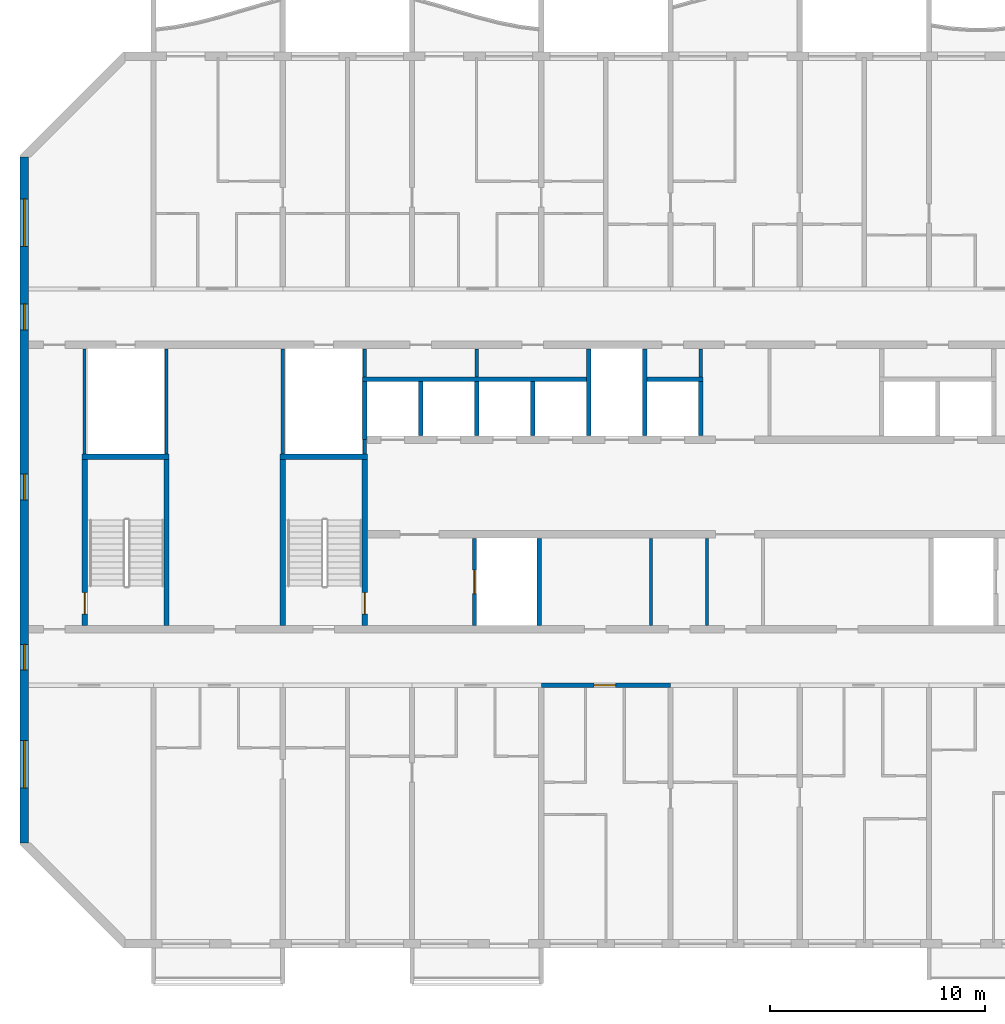
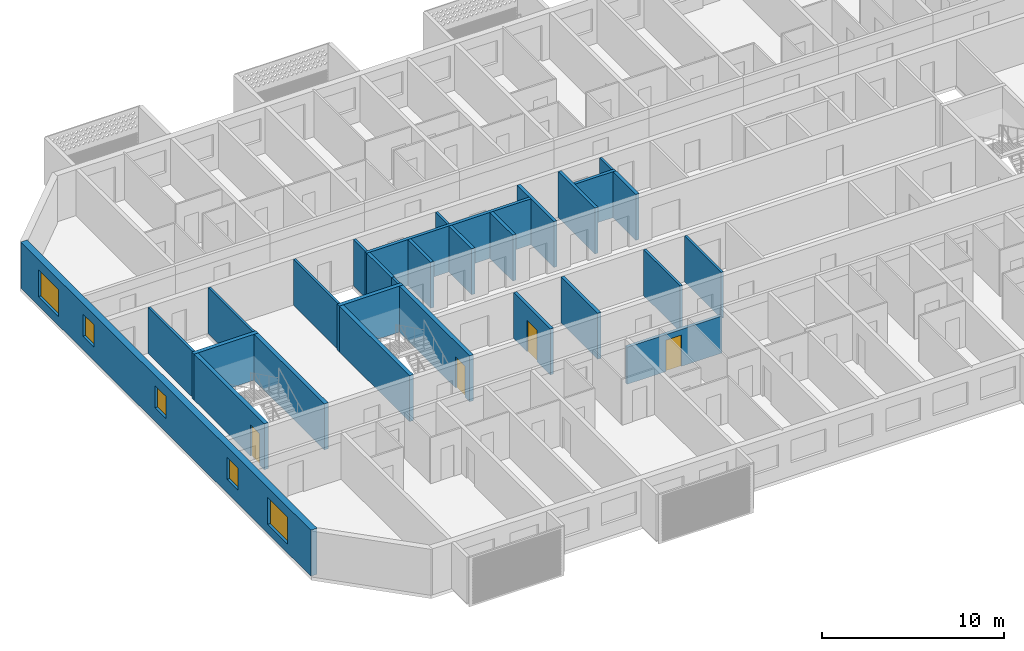
# One storey, part 3 of 26: 28 walls, 5 windows, 4 doors, 9 openings.
"""IFC4 building model written with IfcOpenShell, lengths in metres."""

from ifc_helpers import new_model, si_unit, direction, frame, frame_2d, origin, place, context, subcontext, project, spatial, rectangle, extrude, material, layer, layer_set, type_object, element, fill, save


model = new_model("IFC4")

# Units and contexts
model_context = context("Model", 3, precision=1e-05, world=origin(), true_north=direction((0.0, 1.0)))
body_context = subcontext(model_context, "Body", "Model", "MODEL_VIEW")
ifc_project = project(units=[si_unit("LENGTHUNIT", "METRE"), si_unit("AREAUNIT", "SQUARE_METRE"), si_unit("VOLUMEUNIT", "CUBIC_METRE"), si_unit("PLANEANGLEUNIT", "RADIAN"), si_unit("MASSUNIT", "GRAM", prefix="KILO")], contexts=[model_context])

# Site, building, storey
site_placement = place(None, origin())
site = spatial("IfcSite", under=ifc_project, at=site_placement, CompositionType="ELEMENT")
building_placement = place(site_placement, origin())
building = spatial("IfcBuilding", under=site, at=building_placement, Name="Poui Terraces", CompositionType="ELEMENT")
storey_placement = place(building_placement, frame((0.0, 0.0, 247.800048828125)))
storey = spatial("IfcBuildingStorey", under=building, at=storey_placement, Name="L69", CompositionType="ELEMENT", Elevation=247.800048828125)

# Walls
ifc_material_1 = material(Name="Fire-rated plasterboard wall")
ifc_layer_1 = layer(ifc_material_1, 0.14990234375)
ifc_layer_set_1 = layer_set([ifc_layer_1], Name="Fire-rated plasterboard wall")
wall_type_1 = type_object("IfcWallType", Name="CORRIDOR WALL 150", PredefinedType="PARTITIONING", material=ifc_layer_set_1)
wall_1_placement = place(storey_placement, frame((49.39990234375, 26.300048828125, 0.0), z_axis=(0.0, 0.0, 1.0), x_axis=(0.0, 1.0, 0.0)))
element("IfcWall", 1, at=wall_1_placement, inside=storey, type_object=wall_type_1, Name="CORRIDOR WALL 150", PredefinedType="PARTITIONING", context=body_context, shape_type="SweptSolid", body=[
    extrude(rectangle(XDim=1.31494140625, YDim=0.14990234375, at=frame_2d((0.657470703125, 0.0))), origin(), (0.0, 0.0, 1.0), 3.079833984375),
])
wall_2_placement = place(storey_placement, frame((49.699951171875, 14.784912109375, 0.0), z_axis=(0.0, 0.0, 1.0), x_axis=(0.0, 1.0, 0.0)))
element("IfcWall", 2, at=wall_2_placement, inside=storey, type_object=wall_type_1, Name="CORRIDOR WALL 150", PredefinedType="PARTITIONING", context=body_context, shape_type="SweptSolid", body=[
    extrude(rectangle(XDim=4.030029296875, YDim=0.14990234375, at=frame_2d((2.01513671875, 0.0))), origin(), (0.0, 0.0, 1.0), 3.079833984375),
])

# Wall, opening, door
ifc_material_2 = material(Name="Concrete 50 MPa", Category="concrete")
ifc_layer_2 = layer(ifc_material_2, 0.199951171875)
ifc_layer_set_2 = layer_set([ifc_layer_2], Name="Concrete 50 MPa")
wall_type_2 = type_object("IfcWallType", Name="CORRIDOR WALL 200 50MPa", PredefinedType="SHEAR", material=ifc_layer_set_2)
wall_3_placement = place(storey_placement, frame((42.0, 12.0, 0.0), z_axis=(0.0, 0.0, 1.0), x_axis=(1.0, 0.0, 0.0)))
wall_3 = element("IfcWall", 3, at=wall_3_placement, inside=storey, type_object=wall_type_2, Name="CORRIDOR WALL LINE B BAY 5", PredefinedType="SHEAR", context=body_context, shape_type="SweptSolid", body=[
    extrude(rectangle(XDim=6.0, YDim=0.199951171875, at=frame_2d((3.0, 0.0))), origin(), (0.0, 0.0, 1.0), 2.47998046875),
])
opening_1_placement = place(wall_3_placement, frame((2.449951171875, 0.0, 0.0)))
opening_1 = element("IfcOpeningElement", 4, at=opening_1_placement, cuts=wall_3, Name="Opening FD30S", PredefinedType="OPENING", context=body_context, shape_type="SweptSolid", body=[
    extrude(rectangle(XDim=1.0, YDim=2.10009765625, at=frame_2d((0.5, 1.050048828125))), frame((0.0, 0.10986328125, 0.0), z_axis=(0.0, -1.0, 0.0), x_axis=(1.0, 0.0, 0.0)), (0.0, 0.0, 1.0), 0.219970703125),
])
ifc_material_3 = material(Name="Steel fire door", Category="steel")
door_type_1 = type_object("IfcDoorType", Name="FLAT ENTRANCE DOOR 1000 X 2100", OperationType="NOTDEFINED", PredefinedType="DOOR", material=ifc_material_3)
door_1_placement = place(opening_1_placement, frame((1.0, 0.0, 0.0), z_axis=(0.0, 0.0, 1.0), x_axis=(-1.0, 0.0, 0.0)))
door_1 = element("IfcDoor", 5, at=door_1_placement, inside=storey, type_object=door_type_1, Name="FLAT ENTRANCE DOOR 075", OperationType="SINGLE_SWING_RIGHT", OverallHeight=2.10009765625, OverallWidth=1.0, PredefinedType="DOOR", context=body_context, shape_type="SweptSolid", body=[
    extrude(rectangle(XDim=1.0, YDim=2.10009765625, at=frame_2d((0.5, 1.050048828125))), frame((0.0, 0.02490234375, 0.0), z_axis=(0.0, -1.0, 0.0), x_axis=(1.0, 0.0, 0.0)), (0.0, 0.0, 1.0), 0.050048828125),
])
fill(opening_1, door_1)

# Wall, openings, windows
ifc_layer_3 = layer(ifc_material_2, 0.39990234375)
ifc_layer_set_3 = layer_set([ifc_layer_3], Name="Concrete 50 MPa")
wall_type_3 = type_object("IfcWallType", Name="END WALL 400 50MPa", PredefinedType="SHEAR", material=ifc_layer_set_3)
wall_4_placement = place(storey_placement, frame((18.0, 4.682861328125, 0.0), z_axis=(0.0, 0.0, 1.0), x_axis=(0.0, 1.0, 0.0)))
wall_4 = element("IfcWall", 6, at=wall_4_placement, inside=storey, type_object=wall_type_3, Name="END WALL WEST", PredefinedType="SHEAR", context=body_context, shape_type="SweptSolid", body=[
    extrude(rectangle(XDim=31.834228515625, YDim=0.39990234375, at=frame_2d((15.9169921875, 0.0))), origin(), (0.0, 0.0, 1.0), 3.079833984375),
])
opening_2_placement = place(wall_4_placement, frame((23.817138671875, 0.0, 0.89990234375)))
opening_2 = element("IfcOpeningElement", 7, at=opening_2_placement, cuts=wall_4, Name="Opening W2", PredefinedType="OPENING", context=body_context, shape_type="SweptSolid", body=[
    extrude(rectangle(XDim=1.199951171875, YDim=1.5, at=frame_2d((0.60009765625, 0.75))), frame((0.0, 0.2099609375, 0.0), z_axis=(0.0, -1.0, 0.0), x_axis=(1.0, 0.0, 0.0)), (0.0, 0.0, 1.0), 0.419921875),
])
opening_3_placement = place(wall_4_placement, frame((8.01708984375, 0.0, 0.89990234375)))
opening_3 = element("IfcOpeningElement", 8, at=opening_3_placement, cuts=wall_4, Name="Opening W2", PredefinedType="OPENING", context=body_context, shape_type="SweptSolid", body=[
    extrude(rectangle(XDim=1.199951171875, YDim=1.5, at=frame_2d((0.60009765625, 0.75))), frame((0.0, 0.2099609375, 0.0), z_axis=(0.0, -1.0, 0.0), x_axis=(1.0, 0.0, 0.0)), (0.0, 0.0, 1.0), 0.419921875),
])
opening_4_placement = place(wall_4_placement, frame((27.693603515625, 0.0, 0.60009765625)))
opening_4 = element("IfcOpeningElement", 9, at=opening_4_placement, cuts=wall_4, Name="Opening W3", PredefinedType="OPENING", context=body_context, shape_type="SweptSolid", body=[
    extrude(rectangle(XDim=2.199951171875, YDim=1.800048828125, at=frame_2d((1.10009765625, 0.89990234375))), frame((0.0, 0.2099609375, 0.0), z_axis=(0.0, -1.0, 0.0), x_axis=(1.0, 0.0, 0.0)), (0.0, 0.0, 1.0), 0.419921875),
])
opening_5_placement = place(wall_4_placement, frame((2.541015625, 0.0, 0.60009765625)))
opening_5 = element("IfcOpeningElement", 10, at=opening_5_placement, cuts=wall_4, Name="Opening W3", PredefinedType="OPENING", context=body_context, shape_type="SweptSolid", body=[
    extrude(rectangle(XDim=2.199951171875, YDim=1.800048828125, at=frame_2d((1.10009765625, 0.89990234375))), frame((0.0, 0.2099609375, 0.0), z_axis=(0.0, -1.0, 0.0), x_axis=(1.0, 0.0, 0.0)), (0.0, 0.0, 1.0), 0.419921875),
])
opening_6_placement = place(wall_4_placement, frame((15.917236328125, 0.0, 0.89990234375)))
opening_6 = element("IfcOpeningElement", 11, at=opening_6_placement, cuts=wall_4, Name="Opening W2", PredefinedType="OPENING", context=body_context, shape_type="SweptSolid", body=[
    extrude(rectangle(XDim=1.199951171875, YDim=1.5, at=frame_2d((0.60009765625, 0.75))), frame((0.0, 0.2099609375, 0.0), z_axis=(0.0, -1.0, 0.0), x_axis=(1.0, 0.0, 0.0)), (0.0, 0.0, 1.0), 0.419921875),
])
ifc_material_4 = material(Name="Clear glass in aluminium frame", Category="aluminium")
window_type_1 = type_object("IfcWindowType", Name="WINDOW 1200X1500", PartitioningType="SINGLE_PANEL", PredefinedType="WINDOW", material=ifc_material_4)
window_1_placement = place(opening_2_placement, origin())
window_1 = element("IfcWindow", 12, at=window_1_placement, inside=storey, type_object=window_type_1, Name="W2 WINDOW", OverallHeight=1.5, OverallWidth=1.199951171875, PartitioningType="SINGLE_PANEL", PredefinedType="WINDOW", context=body_context, shape_type="SweptSolid", body=[
    extrude(rectangle(XDim=1.199951171875, YDim=1.5, at=frame_2d((0.60009765625, 0.75))), frame((0.0, 0.030029296875, 0.0), z_axis=(0.0, -1.0, 0.0), x_axis=(1.0, 0.0, 0.0)), (0.0, 0.0, 1.0), 0.06005859375),
])
fill(opening_2, window_1)
window_2_placement = place(opening_3_placement, origin())
window_2 = element("IfcWindow", 13, at=window_2_placement, inside=storey, type_object=window_type_1, Name="W2 WINDOW", OverallHeight=1.5, OverallWidth=1.199951171875, PartitioningType="SINGLE_PANEL", PredefinedType="WINDOW", context=body_context, shape_type="SweptSolid", body=[
    extrude(rectangle(XDim=1.199951171875, YDim=1.5, at=frame_2d((0.60009765625, 0.75))), frame((0.0, 0.030029296875, 0.0), z_axis=(0.0, -1.0, 0.0), x_axis=(1.0, 0.0, 0.0)), (0.0, 0.0, 1.0), 0.06005859375),
])
fill(opening_3, window_2)
window_3_placement = place(opening_6_placement, origin())
window_3 = element("IfcWindow", 14, at=window_3_placement, inside=storey, type_object=window_type_1, Name="W2 WINDOW", OverallHeight=1.5, OverallWidth=1.199951171875, PartitioningType="SINGLE_PANEL", PredefinedType="WINDOW", context=body_context, shape_type="SweptSolid", body=[
    extrude(rectangle(XDim=1.199951171875, YDim=1.5, at=frame_2d((0.60009765625, 0.75))), frame((0.0, 0.030029296875, 0.0), z_axis=(0.0, -1.0, 0.0), x_axis=(1.0, 0.0, 0.0)), (0.0, 0.0, 1.0), 0.06005859375),
])
fill(opening_6, window_3)
window_type_2 = type_object("IfcWindowType", Name="WINDOW 2200X1800", PartitioningType="DOUBLE_PANEL_HORIZONTAL", PredefinedType="WINDOW", material=ifc_material_4)
window_4_placement = place(opening_4_placement, origin())
window_4 = element("IfcWindow", 15, at=window_4_placement, inside=storey, type_object=window_type_2, Name="W3 WINDOW", OverallHeight=1.800048828125, OverallWidth=2.199951171875, PartitioningType="DOUBLE_PANEL_HORIZONTAL", PredefinedType="WINDOW", context=body_context, shape_type="SweptSolid", body=[
    extrude(rectangle(XDim=2.199951171875, YDim=1.800048828125, at=frame_2d((1.10009765625, 0.89990234375))), frame((0.0, 0.030029296875, 0.0), z_axis=(0.0, -1.0, 0.0), x_axis=(1.0, 0.0, 0.0)), (0.0, 0.0, 1.0), 0.06005859375),
])
fill(opening_4, window_4)
window_5_placement = place(opening_5_placement, origin())
window_5 = element("IfcWindow", 16, at=window_5_placement, inside=storey, type_object=window_type_2, Name="W3 WINDOW", OverallHeight=1.800048828125, OverallWidth=2.199951171875, PartitioningType="DOUBLE_PANEL_HORIZONTAL", PredefinedType="WINDOW", context=body_context, shape_type="SweptSolid", body=[
    extrude(rectangle(XDim=2.199951171875, YDim=1.800048828125, at=frame_2d((1.10009765625, 0.89990234375))), frame((0.0, 0.030029296875, 0.0), z_axis=(0.0, -1.0, 0.0), x_axis=(1.0, 0.0, 0.0)), (0.0, 0.0, 1.0), 0.06005859375),
])
fill(opening_5, window_5)

# Walls
ifc_material_5 = material(Name="Plasterboard partition")
ifc_layer_4 = layer(ifc_material_5, 0.14990234375)
ifc_layer_set_4 = layer_set([ifc_layer_4], Name="Plasterboard partition")
wall_type_4 = type_object("IfcWallType", Name="PARTITION WALL 150", PredefinedType="PARTITIONING", material=ifc_layer_set_4)
wall_5_placement = place(storey_placement, frame((39.0, 26.300048828125, 0.0), z_axis=(0.0, 0.0, 1.0), x_axis=(0.0, 1.0, 0.0)))
element("IfcWall", 17, at=wall_5_placement, inside=storey, type_object=wall_type_4, Name="PARTITION WALL 150", PredefinedType="PARTITIONING", context=body_context, shape_type="SweptSolid", body=[
    extrude(rectangle(XDim=1.31494140625, YDim=0.14990234375, at=frame_2d((0.657470703125, 0.0))), origin(), (0.0, 0.0, 1.0), 3.079833984375),
])
wall_6_placement = place(storey_placement, frame((47.10009765625, 14.784912109375, 0.0), z_axis=(0.0, 0.0, 1.0), x_axis=(0.0, 1.0, 0.0)))
element("IfcWall", 18, at=wall_6_placement, inside=storey, type_object=wall_type_4, Name="PARTITION WALL 150", PredefinedType="PARTITIONING", context=body_context, shape_type="SweptSolid", body=[
    extrude(rectangle(XDim=4.030029296875, YDim=0.14990234375, at=frame_2d((2.01513671875, 0.0))), origin(), (0.0, 0.0, 1.0), 3.079833984375),
])
ifc_material_6 = material(Name="Fire-rated plasterboard riser wall")
ifc_layer_5 = layer(ifc_material_6, 0.14990234375)
ifc_layer_set_5 = layer_set([ifc_layer_5], Name="Fire-rated plasterboard riser wall")
wall_type_5 = type_object("IfcWallType", Name="RISER WALL 150", PredefinedType="PARTITIONING", material=ifc_layer_set_5)
for number, where, z_axis, x_axis, name in (
    (19, (20.800048828125, 22.735107421875, 0.0), (0.0, 0.0, 1.0), (0.0, 1.0, 0.0), "RISER WALL 150"),
    (20, (24.60009765625, 22.735107421875, 0.0), (0.0, 0.0, 1.0), (0.0, 1.0, 0.0), "RISER WALL 150"),
    (21, (30.0, 22.735107421875, 0.0), (0.0, 0.0, 1.0), (0.0, 1.0, 0.0), "RISER WALL 150"),
):
    element("IfcWall", number, at=place(storey_placement, frame(where, z_axis=z_axis, x_axis=x_axis)), inside=storey, type_object=wall_type_5, Name=name, PredefinedType="PARTITIONING", context=body_context, shape_type="SweptSolid", body=[
        extrude(rectangle(XDim=4.8798828125, YDim=0.14990234375, at=frame_2d((2.43994140625, 0.0))), origin(), (0.0, 0.0, 1.0), 3.079833984375),
    ])
wall_7_placement = place(storey_placement, frame((33.800048828125, 22.735107421875, 0.0), z_axis=(0.0, 0.0, 1.0), x_axis=(0.0, 1.0, 0.0)))
element("IfcWall", 22, at=wall_7_placement, inside=storey, type_object=wall_type_5, Name="RISER WALL 150", PredefinedType="PARTITIONING", context=body_context, shape_type="SweptSolid", body=[
    extrude(rectangle(XDim=0.664794921875, YDim=0.14990234375, at=frame_2d((0.33251953125, 0.0))), origin(), (0.0, 0.0, 1.0), 3.079833984375),
])
wall_8_placement = place(storey_placement, frame((33.800048828125, 26.300048828125, 0.0), z_axis=(0.0, 0.0, 1.0), x_axis=(0.0, 1.0, 0.0)))
element("IfcWall", 23, at=wall_8_placement, inside=storey, type_object=wall_type_5, Name="RISER WALL 150", PredefinedType="PARTITIONING", context=body_context, shape_type="SweptSolid", body=[
    extrude(rectangle(XDim=1.31494140625, YDim=0.14990234375, at=frame_2d((0.657470703125, 0.0))), origin(), (0.0, 0.0, 1.0), 3.079833984375),
])
ifc_material_7 = material(Name="Fire-rated masonry shaft wall", Category="masonry")
ifc_layer_6 = layer(ifc_material_7, 0.199951171875)
ifc_layer_set_6 = layer_set([ifc_layer_6], Name="Fire-rated masonry shaft wall")
wall_type_6 = type_object("IfcWallType", Name="SHAFT WALL 200", PredefinedType="PARTITIONING", material=ifc_layer_set_6)
wall_9_placement = place(storey_placement, frame((33.699951171875, 26.199951171875, 0.0), z_axis=(0.0, 0.0, 1.0), x_axis=(1.0, 0.0, 0.0)))
element("IfcWall", 24, at=wall_9_placement, inside=storey, type_object=wall_type_6, Name="SHAFT WALL 200", PredefinedType="PARTITIONING", context=body_context, shape_type="SweptSolid", body=[
    extrude(rectangle(XDim=10.400146484375, YDim=0.199951171875, at=frame_2d((5.2001953125, 0.0))), origin(), (0.0, 0.0, 1.0), 3.079833984375),
])
wall_10_placement = place(storey_placement, frame((46.89990234375, 26.199951171875, 0.0), z_axis=(0.0, 0.0, 1.0), x_axis=(1.0, 0.0, 0.0)))
element("IfcWall", 25, at=wall_10_placement, inside=storey, type_object=wall_type_6, Name="SHAFT WALL 200", PredefinedType="PARTITIONING", context=body_context, shape_type="SweptSolid", body=[
    extrude(rectangle(XDim=2.60009765625, YDim=0.199951171875, at=frame_2d((1.300048828125, 0.0))), origin(), (0.0, 0.0, 1.0), 3.079833984375),
])
wall_11_placement = place(storey_placement, frame((33.800048828125, 23.39990234375, 0.0), z_axis=(0.0, 0.0, 1.0), x_axis=(0.0, 1.0, 0.0)))
element("IfcWall", 26, at=wall_11_placement, inside=storey, type_object=wall_type_6, Name="SHAFT WALL 200", PredefinedType="PARTITIONING", context=body_context, shape_type="SweptSolid", body=[
    extrude(rectangle(XDim=2.7001953125, YDim=0.199951171875, at=frame_2d((1.35009765625, 0.0))), origin(), (0.0, 0.0, 1.0), 3.079833984375),
])
wall_12_placement = place(storey_placement, frame((36.39990234375, 23.5849609375, 0.0), z_axis=(0.0, 0.0, 1.0), x_axis=(0.0, 1.0, 0.0)))
element("IfcWall", 27, at=wall_12_placement, inside=storey, type_object=wall_type_6, Name="SHAFT WALL 200", PredefinedType="PARTITIONING", context=body_context, shape_type="SweptSolid", body=[
    extrude(rectangle(XDim=2.51513671875, YDim=0.199951171875, at=frame_2d((1.257568359375, 0.0))), origin(), (0.0, 0.0, 1.0), 3.079833984375),
])

# Wall, opening, door
wall_13_placement = place(storey_placement, frame((38.89990234375, 14.784912109375, 0.0), z_axis=(0.0, 0.0, 1.0), x_axis=(0.0, 1.0, 0.0)))
wall_13 = element("IfcWall", 28, at=wall_13_placement, inside=storey, type_object=wall_type_6, Name="SHAFT WALL 200", PredefinedType="PARTITIONING", context=body_context, shape_type="SweptSolid", body=[
    extrude(rectangle(XDim=4.030029296875, YDim=0.199951171875, at=frame_2d((2.01513671875, 0.0))), origin(), (0.0, 0.0, 1.0), 3.079833984375),
])
opening_7_placement = place(wall_13_placement, frame((1.465087890625, 0.0, 0.0)))
opening_7 = element("IfcOpeningElement", 29, at=opening_7_placement, cuts=wall_13, Name="Opening LD", PredefinedType="OPENING", context=body_context, shape_type="SweptSolid", body=[
    extrude(rectangle(XDim=1.10009765625, YDim=2.10009765625, at=frame_2d((0.550048828125, 1.050048828125))), frame((0.0, 0.10986328125, 0.0), z_axis=(0.0, -1.0, 0.0), x_axis=(1.0, 0.0, 0.0)), (0.0, 0.0, 1.0), 0.219970703125),
])
ifc_material_8 = material(Name="Stainless steel sliding door", Category="steel")
door_type_2 = type_object("IfcDoorType", Name="LIFT LANDING DOOR 1100 X 2100", OperationType="DOUBLE_DOOR_SLIDING", PredefinedType="DOOR", material=ifc_material_8)
door_2_placement = place(opening_7_placement, origin())
door_2 = element("IfcDoor", 30, at=door_2_placement, inside=storey, type_object=door_type_2, Name="LANDING DOOR", OperationType="DOUBLE_DOOR_SLIDING", OverallHeight=2.10009765625, OverallWidth=1.10009765625, PredefinedType="DOOR", context=body_context, shape_type="SweptSolid", body=[
    extrude(rectangle(XDim=1.10009765625, YDim=2.10009765625, at=frame_2d((0.550048828125, 1.050048828125))), frame((0.0, 0.02490234375, 0.0), z_axis=(0.0, -1.0, 0.0), x_axis=(1.0, 0.0, 0.0)), (0.0, 0.0, 1.0), 0.050048828125),
])
fill(opening_7, door_2)

# Walls
for number, where, z_axis, x_axis, name in (
    (31, (39.0, 23.5849609375, 0.0), (0.0, 0.0, 1.0), (0.0, 1.0, 0.0), "SHAFT WALL 200"),
    (32, (41.60009765625, 23.5849609375, 0.0), (0.0, 0.0, 1.0), (0.0, 1.0, 0.0), "SHAFT WALL 200"),
):
    element("IfcWall", number, at=place(storey_placement, frame(where, z_axis=z_axis, x_axis=x_axis)), inside=storey, type_object=wall_type_6, Name=name, PredefinedType="PARTITIONING", context=body_context, shape_type="SweptSolid", body=[
        extrude(rectangle(XDim=2.51513671875, YDim=0.199951171875, at=frame_2d((1.257568359375, 0.0))), origin(), (0.0, 0.0, 1.0), 3.079833984375),
    ])
for number, where, z_axis, x_axis, name in (
    (33, (41.89990234375, 14.784912109375, 0.0), (0.0, 0.0, 1.0), (0.0, 1.0, 0.0), "SHAFT WALL 200"),
    (34, (44.199951171875, 23.5849609375, 0.0), (0.0, 0.0, 1.0), (0.0, 1.0, 0.0), "SHAFT WALL 200"),
    (35, (46.800048828125, 23.5849609375, 0.0), (0.0, 0.0, 1.0), (0.0, 1.0, 0.0), "SHAFT WALL 200"),
):
    element("IfcWall", number, at=place(storey_placement, frame(where, z_axis=z_axis, x_axis=x_axis)), inside=storey, type_object=wall_type_6, Name=name, PredefinedType="PARTITIONING", context=body_context, shape_type="SweptSolid", body=[
        extrude(rectangle(XDim=4.030029296875, YDim=0.199951171875, at=frame_2d((2.01513671875, 0.0))), origin(), (0.0, 0.0, 1.0), 3.079833984375),
    ])
wall_14_placement = place(storey_placement, frame((49.39990234375, 23.5849609375, 0.0), z_axis=(0.0, 0.0, 1.0), x_axis=(0.0, 1.0, 0.0)))
element("IfcWall", 36, at=wall_14_placement, inside=storey, type_object=wall_type_6, Name="SHAFT WALL 200", PredefinedType="PARTITIONING", context=body_context, shape_type="SweptSolid", body=[
    extrude(rectangle(XDim=2.51513671875, YDim=0.199951171875, at=frame_2d((1.257568359375, 0.0))), origin(), (0.0, 0.0, 1.0), 3.079833984375),
])
ifc_layer_7 = layer(ifc_material_2, 0.25)
ifc_layer_set_7 = layer_set([ifc_layer_7], Name="Concrete 50 MPa")
wall_type_7 = type_object("IfcWallType", Name="STAIR CORE WALL 250 50 MPA", PredefinedType="SOLIDWALL", material=ifc_layer_set_7)
wall_15_placement = place(storey_placement, frame((30.0, 14.77490234375, 0.0), z_axis=(0.0, 0.0, 1.0), x_axis=(0.0, 1.0, 0.0)))
element("IfcWall", 37, at=wall_15_placement, inside=storey, type_object=wall_type_7, Name="STAIR CORE WALL", PredefinedType="SOLIDWALL", context=body_context, shape_type="SweptSolid", body=[
    extrude(rectangle(XDim=7.7001953125, YDim=0.25, at=frame_2d((3.85009765625, 0.0))), origin(), (0.0, 0.0, 1.0), 3.079833984375),
])

# Wall, opening, door
wall_16_placement = place(storey_placement, frame((33.800048828125, 14.77490234375, 0.0), z_axis=(0.0, 0.0, 1.0), x_axis=(0.0, 1.0, 0.0)))
wall_16 = element("IfcWall", 38, at=wall_16_placement, inside=storey, type_object=wall_type_7, Name="STAIR CORE WALL", PredefinedType="SOLIDWALL", context=body_context, shape_type="SweptSolid", body=[
    extrude(rectangle(XDim=7.7001953125, YDim=0.25, at=frame_2d((3.85009765625, 0.0))), origin(), (0.0, 0.0, 1.0), 3.079833984375),
])
opening_8_placement = place(wall_16_placement, frame((0.52490234375, 0.0, 0.0)))
opening_8 = element("IfcOpeningElement", 39, at=opening_8_placement, cuts=wall_16, Name="Opening FD60S", PredefinedType="OPENING", context=body_context, shape_type="SweptSolid", body=[
    extrude(rectangle(XDim=1.0, YDim=2.10009765625, at=frame_2d((0.5, 1.050048828125))), frame((0.0, 0.135009765625, 0.0), z_axis=(0.0, -1.0, 0.0), x_axis=(1.0, 0.0, 0.0)), (0.0, 0.0, 1.0), 0.27001953125),
])
door_type_3 = type_object("IfcDoorType", Name="STAIR DOOR 1000 X 2100", OperationType="NOTDEFINED", PredefinedType="DOOR", material=ifc_material_3)
door_3_placement = place(opening_8_placement, origin())
door_3 = element("IfcDoor", 40, at=door_3_placement, inside=storey, type_object=door_type_3, Name="STAIR DOOR 097", OperationType="SINGLE_SWING_LEFT", OverallHeight=2.10009765625, OverallWidth=1.0, PredefinedType="DOOR", context=body_context, shape_type="SweptSolid", body=[
    extrude(rectangle(XDim=1.0, YDim=2.10009765625, at=frame_2d((0.5, 1.050048828125))), frame((0.0, 0.02490234375, 0.0), z_axis=(0.0, -1.0, 0.0), x_axis=(1.0, 0.0, 0.0)), (0.0, 0.0, 1.0), 0.050048828125),
])
fill(opening_8, door_3)

# Wall
wall_17_placement = place(storey_placement, frame((29.875, 22.60009765625, 0.0), z_axis=(0.0, 0.0, 1.0), x_axis=(1.0, 0.0, 0.0)))
element("IfcWall", 41, at=wall_17_placement, inside=storey, type_object=wall_type_7, Name="STAIR CORE WALL", PredefinedType="SOLIDWALL", context=body_context, shape_type="SweptSolid", body=[
    extrude(rectangle(XDim=4.050048828125, YDim=0.25, at=frame_2d((2.02490234375, 0.0))), origin(), (0.0, 0.0, 1.0), 3.079833984375),
])

# Wall, opening, door
wall_18_placement = place(storey_placement, frame((20.800048828125, 14.77490234375, 0.0), z_axis=(0.0, 0.0, 1.0), x_axis=(0.0, 1.0, 0.0)))
wall_18 = element("IfcWall", 42, at=wall_18_placement, inside=storey, type_object=wall_type_7, Name="STAIR CORE WALL", PredefinedType="SOLIDWALL", context=body_context, shape_type="SweptSolid", body=[
    extrude(rectangle(XDim=7.7001953125, YDim=0.25, at=frame_2d((3.85009765625, 0.0))), origin(), (0.0, 0.0, 1.0), 3.079833984375),
])
opening_9_placement = place(wall_18_placement, frame((0.52490234375, 0.0, 0.0)))
opening_9 = element("IfcOpeningElement", 43, at=opening_9_placement, cuts=wall_18, Name="Opening FD60S", PredefinedType="OPENING", context=body_context, shape_type="SweptSolid", body=[
    extrude(rectangle(XDim=1.0, YDim=2.10009765625, at=frame_2d((0.5, 1.050048828125))), frame((0.0, 0.135009765625, 0.0), z_axis=(0.0, -1.0, 0.0), x_axis=(1.0, 0.0, 0.0)), (0.0, 0.0, 1.0), 0.27001953125),
])
door_4_placement = place(opening_9_placement, frame((1.0, 0.0, 0.0), z_axis=(0.0, 0.0, 1.0), x_axis=(-1.0, 0.0, 0.0)))
door_4 = element("IfcDoor", 44, at=door_4_placement, inside=storey, type_object=door_type_3, Name="STAIR DOOR 111", OperationType="SINGLE_SWING_RIGHT", OverallHeight=2.10009765625, OverallWidth=1.0, PredefinedType="DOOR", context=body_context, shape_type="SweptSolid", body=[
    extrude(rectangle(XDim=1.0, YDim=2.10009765625, at=frame_2d((0.5, 1.050048828125))), frame((0.0, 0.02490234375, 0.0), z_axis=(0.0, -1.0, 0.0), x_axis=(1.0, 0.0, 0.0)), (0.0, 0.0, 1.0), 0.050048828125),
])
fill(opening_9, door_4)

# Walls
wall_19_placement = place(storey_placement, frame((24.60009765625, 14.77490234375, 0.0), z_axis=(0.0, 0.0, 1.0), x_axis=(0.0, 1.0, 0.0)))
element("IfcWall", 45, at=wall_19_placement, inside=storey, type_object=wall_type_7, Name="STAIR CORE WALL", PredefinedType="SOLIDWALL", context=body_context, shape_type="SweptSolid", body=[
    extrude(rectangle(XDim=7.7001953125, YDim=0.25, at=frame_2d((3.85009765625, 0.0))), origin(), (0.0, 0.0, 1.0), 3.079833984375),
])
wall_20_placement = place(storey_placement, frame((20.675048828125, 22.60009765625, 0.0), z_axis=(0.0, 0.0, 1.0), x_axis=(1.0, 0.0, 0.0)))
element("IfcWall", 46, at=wall_20_placement, inside=storey, type_object=wall_type_7, Name="STAIR CORE WALL", PredefinedType="SOLIDWALL", context=body_context, shape_type="SweptSolid", body=[
    extrude(rectangle(XDim=4.050048828125, YDim=0.25, at=frame_2d((2.02490234375, 0.0))), origin(), (0.0, 0.0, 1.0), 3.079833984375),
])

save(model, "model.ifc")
